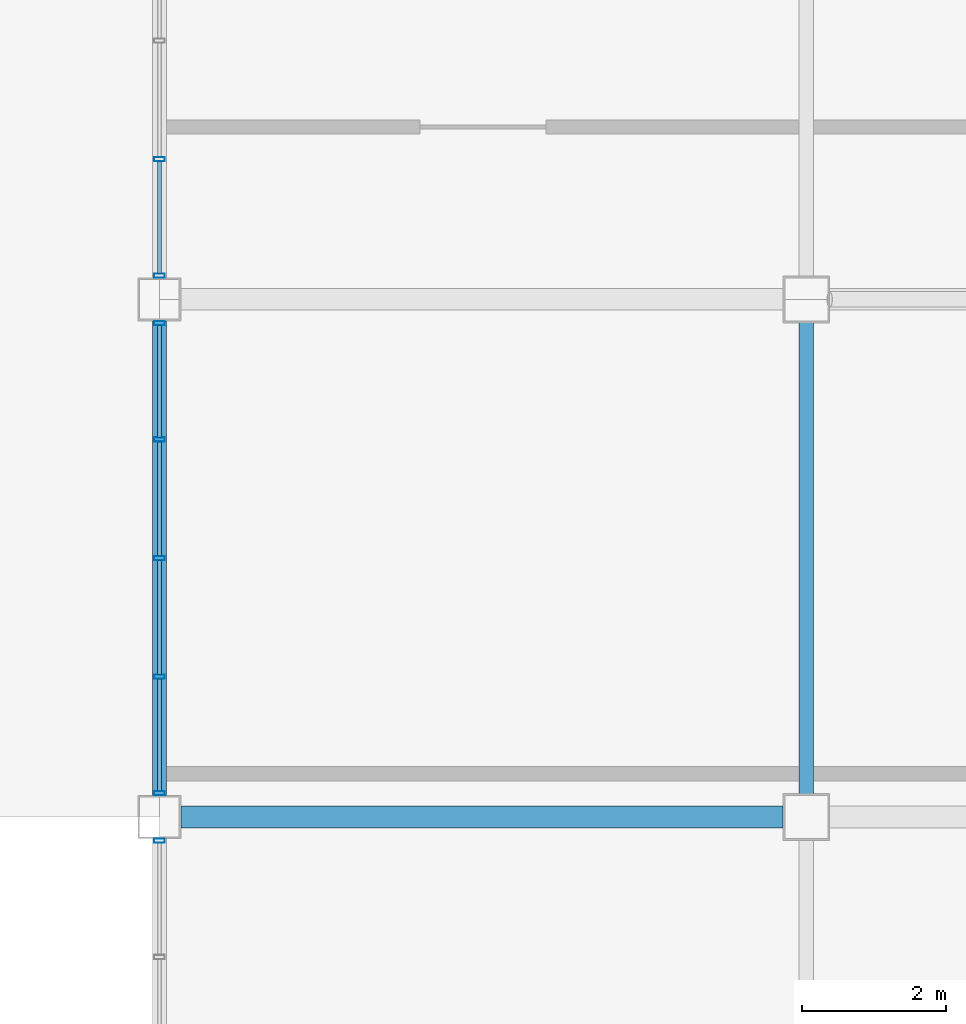
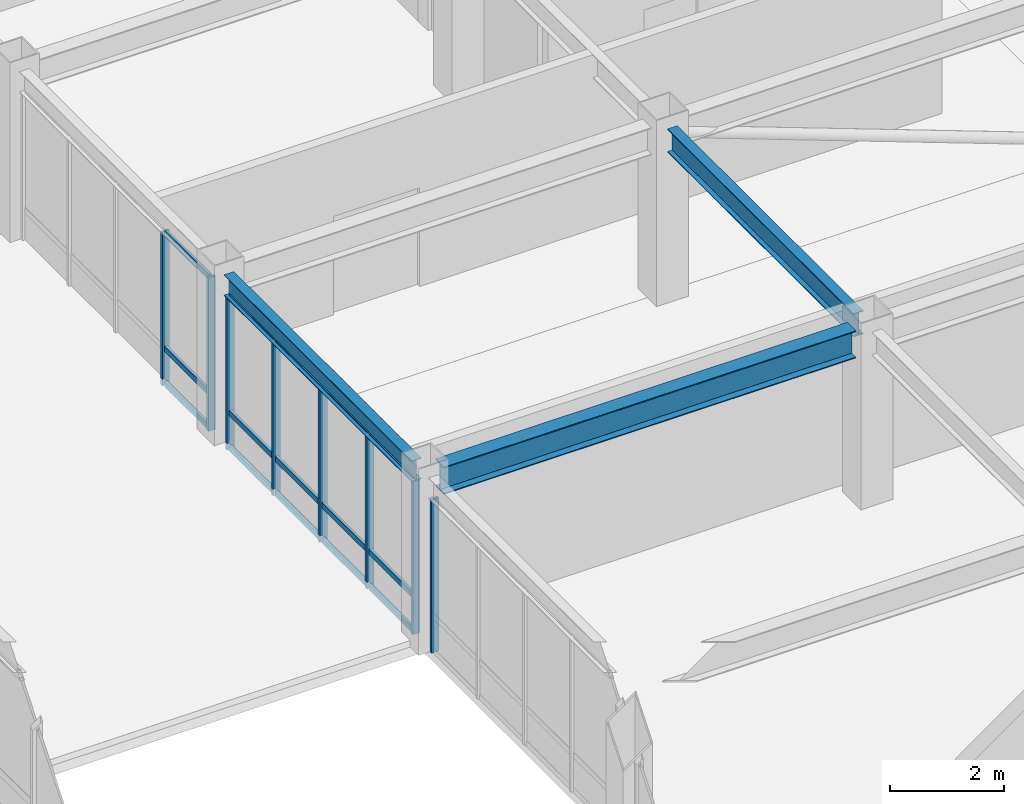
# One storey, part 75 of 113: 23 members, 3 beams, 3 elements without a shape of their own.
"""IFC4 building model written with IfcOpenShell, lengths in metres."""

import ifcopenshell
import ifcopenshell.guid

model = None  # the IFC model being written
_history = None  # IfcOwnerHistory: only IFC2X3 demands one
_inside = {}  # id of a spatial element -> (the spatial element, [elements in it])
_under = {}  # id of a project, library or spatial element -> (it, [spatial elements below it])
_declared = {}  # id of a project -> (the project, [libraries it declares])
_typed = {}  # id of a type object -> (the type object, [elements of that type])
_made_of = {}  # id of a material, layer set ... -> (it, [elements and type objects made of it])


def new_model(schema):
    """Start an empty IFC model of exactly this schema.

    Asked for "IFC4X3", IfcOpenShell would pick the latest addendum, in which some entities
    have other attributes; the version numbers below select the first issue.
    IFC2X3 requires an IfcOwnerHistory on every rooted entity: one is made here for all.
    """
    global model, _history
    if schema == "IFC4X3":
        model = ifcopenshell.file(schema_version=(4, 3, 0, 0))
    else:
        model = ifcopenshell.file(schema=schema)
    _inside.clear()
    _under.clear()
    _declared.clear()
    _typed.clear()
    _made_of.clear()
    _history = None
    if model.schema == "IFC2X3":
        org = make("IfcOrganization", Name="unknown")
        user = make(
            "IfcPersonAndOrganization",
            ThePerson=make("IfcPerson", FamilyName="unknown"),
            TheOrganization=org,
        )
        app = make(
            "IfcApplication",
            ApplicationDeveloper=org,
            Version="unknown",
            ApplicationFullName="unknown",
            ApplicationIdentifier="unknown",
        )
        _history = make(
            "IfcOwnerHistory",
            OwningUser=user,
            OwningApplication=app,
            ChangeAction="ADDED",
            CreationDate=0,
        )
    return model


def make(cls, **values):
    """One entity of the class cls with the attributes given. An attribute that is None is left unset."""
    return model.create_entity(
        cls, **{name: value for name, value in values.items() if value is not None}
    )


def rooted(cls, **values):
    """An entity with a GlobalId (a new one), such as an element, a storey or a relation."""
    return make(cls, GlobalId=ifcopenshell.guid.new(), OwnerHistory=_history, **values)


def si_unit(unit_type, name, prefix=None):
    """IfcSIUnit, for example si_unit("LENGTHUNIT", "METRE", prefix="MILLI")."""
    return make("IfcSIUnit", UnitType=unit_type, Prefix=prefix, Name=name)


def assignment(units):
    """IfcUnitAssignment: the units of a project."""
    return None if units is None else make("IfcUnitAssignment", Units=units)


def point(xyz):
    """IfcCartesianPoint."""
    return None if xyz is None else make("IfcCartesianPoint", Coordinates=xyz)


def direction(xyz):
    """IfcDirection."""
    return None if xyz is None else make("IfcDirection", DirectionRatios=xyz)


def frame(location, z_axis=None, x_axis=None):
    """IfcAxis2Placement3D, a coordinate frame: its origin and axes. An axis left out is left unset."""
    return make(
        "IfcAxis2Placement3D",
        Location=point(location),
        Axis=direction(z_axis),
        RefDirection=direction(x_axis),
    )


def frame_2d(location, x_axis=None):
    """IfcAxis2Placement2D, a coordinate frame in the plane: its origin and x axis."""
    return make(
        "IfcAxis2Placement2D", Location=point(location), RefDirection=direction(x_axis)
    )


def origin():
    """The frame at (0, 0, 0) with its axes left unset."""
    return frame((0.0, 0.0, 0.0))


def origin_2d():
    """The frame at (0, 0) in the plane with its x axis left unset."""
    return frame_2d((0.0, 0.0))


def place(relative_to, where):
    """IfcLocalPlacement: puts the frame where relative to a parent placement (None: the world)."""
    return make(
        "IfcLocalPlacement", PlacementRelTo=relative_to, RelativePlacement=where
    )


def context(
    kind, dimensions, precision=None, world=None, true_north=None, identifier=None
):
    """IfcGeometricRepresentationContext, for example the 3D "Model" context."""
    return make(
        "IfcGeometricRepresentationContext",
        ContextIdentifier=identifier,
        ContextType=kind,
        CoordinateSpaceDimension=dimensions,
        Precision=precision,
        WorldCoordinateSystem=world,
        TrueNorth=true_north,
    )


def subcontext(parent, identifier, kind, view, scale=None):
    """IfcGeometricRepresentationSubContext, for example "Body" below "Model"."""
    return make(
        "IfcGeometricRepresentationSubContext",
        ContextIdentifier=identifier,
        ContextType=kind,
        ParentContext=parent,
        TargetScale=scale,
        TargetView=view,
    )


def project(units=None, contexts=None):
    """IfcProject with its units and contexts."""
    return rooted(
        "IfcProject",
        Name="project",
        RepresentationContexts=contexts,
        UnitsInContext=assignment(units),
    )


def spatial(cls, under=None, at=None, **own):
    """A site, building, storey or space (cls), placed at a placement, below another one or the project."""
    s = rooted(cls, ObjectPlacement=at, **own)
    if under is not None:
        _under.setdefault(under.id(), (under, []))[1].append(s)
    return s


def profile(cls, at=None, kind="AREA", **sizes):
    """A parametric profile (cls). Its sizes go by their IFC names, for example OverallWidth=200.0."""
    return make(cls, ProfileType=kind, Position=at, **sizes)


def hollow_rectangle(**sizes):
    """IfcRectangleHollowProfileDef."""
    return profile("IfcRectangleHollowProfileDef", **sizes)


def i_section(**sizes):
    """IfcIShapeProfileDef."""
    return profile("IfcIShapeProfileDef", **sizes)


def extrude(swept, where, along, depth):
    """IfcExtrudedAreaSolid: the profile swept, set in the frame where, extruded along a direction by depth."""
    return make(
        "IfcExtrudedAreaSolid",
        SweptArea=swept,
        Position=where,
        ExtrudedDirection=direction(along),
        Depth=depth,
    )


def shape(context_of_items, identifier, shape_type, items):
    """IfcShapeRepresentation: the items that make up one representation, for example the "Body"."""
    return make(
        "IfcShapeRepresentation",
        ContextOfItems=context_of_items,
        RepresentationIdentifier=identifier,
        RepresentationType=shape_type,
        Items=items,
    )


def material(Name=None, Category=None):
    """IfcMaterial."""
    return make("IfcMaterial", Name=Name, Category=Category)


def material_profile(
    of_material, cross_section, Name=None, Category=None, Priority=None
):
    """IfcMaterialProfile: a cross section and its material."""
    return make(
        "IfcMaterialProfile",
        Name=Name,
        Material=of_material,
        Profile=cross_section,
        Priority=Priority,
        Category=Category,
    )


def profile_set(profiles, Name=None, composite=None):
    """IfcMaterialProfileSet."""
    return make(
        "IfcMaterialProfileSet",
        Name=Name,
        MaterialProfiles=profiles,
        CompositeProfile=composite,
    )


def made_of(thing, what):
    """Note that an element or type object is made of a material, layer set ...; save() writes the relation."""
    if what is not None:
        _made_of.setdefault(what.id(), (what, []))[1].append(thing)
    return thing


def type_object(cls, material=None, **own):
    """A type object (cls), such as IfcWallType, which elements share."""
    return made_of(rooted(cls, **own), material)


def element(
    cls,
    number,
    at=None,
    inside=None,
    cuts=None,
    type_object=None,
    material=None,
    context=None,
    identifier="Body",
    shape_type=None,
    held_by="IfcProductDefinitionShape",
    body=None,
    shapes=None,
    **own,
):
    """One element of the class cls, such as IfcWall. Its Tag is "e" and its number.

    at: its placement. inside: the storey or other place that contains it. cuts: it is an
    opening in that element (IfcRelVoidsElement). A single representation is given by context,
    identifier, shape_type and body (its items); several are given by shapes. held_by: the class
    of the entity that holds the representations. save() writes the other relations.
    """
    e = rooted(cls, Tag="e%d" % number, ObjectPlacement=at, **own)
    if body is not None:
        shapes = [shape(context, identifier, shape_type, body)]
    if shapes is not None:
        e.Representation = make(held_by, Representations=shapes)
    if inside is not None:
        _inside.setdefault(inside.id(), (inside, []))[1].append(e)
    if cuts is not None:
        rooted(
            "IfcRelVoidsElement", RelatingBuildingElement=cuts, RelatedOpeningElement=e
        )
    if type_object is not None:
        _typed.setdefault(type_object.id(), (type_object, []))[1].append(e)
    return made_of(e, material)


def aggregate(whole, parts):
    """IfcRelAggregates: a whole, such as a stair, and the parts it consists of."""
    return rooted("IfcRelAggregates", RelatingObject=whole, RelatedObjects=parts)


def save(model, path):
    """Write the relations noted so far, then the file.

    IfcRelAggregates (storeys below a building ...), IfcRelContainedInSpatialStructure (elements
    in a storey), IfcRelDefinesByType, IfcRelAssociatesMaterial and IfcRelDeclares: one each for
    every whole, place, type object, material and project.
    """
    for whole, parts in _under.values():
        aggregate(whole, parts)
    for where, things in _inside.values():
        rooted(
            "IfcRelContainedInSpatialStructure",
            RelatedElements=things,
            RelatingStructure=where,
        )
    for kind, things in _typed.values():
        rooted("IfcRelDefinesByType", RelatedObjects=things, RelatingType=kind)
    for what, things in _made_of.values():
        rooted("IfcRelAssociatesMaterial", RelatedObjects=things, RelatingMaterial=what)
    for by, libraries in _declared.values():
        rooted("IfcRelDeclares", RelatingContext=by, RelatedDefinitions=libraries)
    model.write(path)


model = new_model("IFC4")

# Units and contexts
model_context = context("Model", 3, precision=1e-05, world=origin(), true_north=direction((0.0, 1.0)))
body_context = subcontext(model_context, "Body", "Model", "MODEL_VIEW")
ifc_project = project(units=[si_unit("LENGTHUNIT", "METRE"), si_unit("AREAUNIT", "SQUARE_METRE"), si_unit("VOLUMEUNIT", "CUBIC_METRE"), si_unit("PLANEANGLEUNIT", "RADIAN"), si_unit("MASSUNIT", "GRAM", prefix="KILO")], contexts=[model_context])

# Site, building, storey
site_placement = place(None, origin())
site = spatial("IfcSite", under=ifc_project, at=site_placement, CompositionType="ELEMENT")
building_placement = place(site_placement, origin())
building = spatial("IfcBuilding", under=site, at=building_placement, Name="Kazanami Central Library", CompositionType="ELEMENT")
storey_placement = place(building_placement, frame((0.0, 0.0, 8.800048828125)))
storey = spatial("IfcBuildingStorey", under=building, at=storey_placement, Name="L03", CompositionType="ELEMENT", Elevation=8.800048828125)

# Beams
ifc_material_1 = material(Name="Steel SN490B (325 MPa)", Category="steel")
ifc_material_profile_1 = material_profile(ifc_material_1, i_section(OverallWidth=0.300048828125, OverallDepth=0.587890625, WebThickness=0.011962890625, FlangeThickness=0.02001953125, at=origin_2d()), Name="H-588x300x12x20")
ifc_profile_set_1 = profile_set([ifc_material_profile_1], Name="Steel SN490B (325 MPa)")
beam_type_1 = type_object("IfcBeamType", Name="BM-G-X2", PredefinedType="BEAM", material=ifc_profile_set_1)
beam_1_placement = place(storey_placement, frame((117.298095703125, 64.800048828125, 3.450927734375), z_axis=(1.0, 0.0, 0.0), x_axis=(0.0, 1.0, 0.0)))
element("IfcBeam", 1, at=beam_1_placement, inside=storey, type_object=beam_type_1, Name="Girder G-X2 L03 K/14-15", PredefinedType="BEAM", context=body_context, shape_type="SweptSolid", body=[
    extrude(i_section(OverallWidth=0.300048828125, OverallDepth=0.587890625, WebThickness=0.011962890625, FlangeThickness=0.02001953125, at=origin_2d()), origin(), (0.0, 0.0, 1.0), 8.37890625),
])
ifc_material_profile_2 = material_profile(ifc_material_1, i_section(OverallWidth=0.199951171875, OverallDepth=0.5, WebThickness=0.010009765625, FlangeThickness=0.01611328125, at=origin_2d()), Name="H-500x200x10x16")
ifc_profile_set_2 = profile_set([ifc_material_profile_2], Name="Steel SN490B (325 MPa)")
beam_type_2 = type_object("IfcBeamType", Name="BM-G-Y2", PredefinedType="BEAM", material=ifc_profile_set_2)
beam_2_placement = place(storey_placement, frame((126.0, 65.123046875, 3.494873046875), z_axis=(0.0, 1.0, 0.0), x_axis=(-1.0, 0.0, 0.0)))
element("IfcBeam", 2, at=beam_2_placement, inside=storey, type_object=beam_type_2, Name="Girder G-Y2 L03 15/K-L", PredefinedType="BEAM", context=body_context, shape_type="SweptSolid", body=[
    extrude(i_section(OverallWidth=0.199951171875, OverallDepth=0.5, WebThickness=0.010009765625, FlangeThickness=0.01611328125, at=origin_2d()), origin(), (0.0, 0.0, 1.0), 6.553955078125),
])
ifc_material_profile_3 = material_profile(ifc_material_1, i_section(OverallWidth=0.199951171875, OverallDepth=0.449951171875, WebThickness=0.009033203125, FlangeThickness=0.013916015625, at=origin_2d()), Name="H-450x200x9x14")
ifc_profile_set_3 = profile_set([ifc_material_profile_3], Name="Steel SN490B (325 MPa)")
beam_type_3 = type_object("IfcBeamType", Name="BM-SP-2", PredefinedType="SPANDREL", material=ifc_profile_set_3)
beam_3_placement = place(storey_placement, frame((117.0, 65.097900390625, 3.52001953125), z_axis=(0.0, 1.0, 0.0), x_axis=(-1.0, 0.0, 0.0)))
element("IfcBeam", 3, at=beam_3_placement, inside=storey, type_object=beam_type_3, Name="Girder SP-2 L03 14/K-L", PredefinedType="SPANDREL", context=body_context, shape_type="SweptSolid", body=[
    extrude(i_section(OverallWidth=0.199951171875, OverallDepth=0.449951171875, WebThickness=0.009033203125, FlangeThickness=0.013916015625, at=origin_2d()), origin(), (0.0, 0.0, 1.0), 6.60400390625),
])

# Curtain wall, member
ifc_material_2 = material(Name="Acid-Etched Low-E Laminated Glass", Category="glass")
curtain_wall_type = type_object("IfcCurtainWallType", Name="CW-6600x3295-M180", PredefinedType="USERDEFINED", material=ifc_material_2)
curtain_wall_1_placement = place(storey_placement, origin())
curtain_wall_1 = element("IfcCurtainWall", 4, at=curtain_wall_1_placement, inside=storey, type_object=curtain_wall_type, Name="Covered Link Bridge Curtain Wall CW-36 L03 W-14-08", ObjectType="UNITISED CURTAIN WALL", PredefinedType="USERDEFINED")
ifc_material_3 = material(Name="Anodised Aluminium A6063-T5", Category="aluminium")
ifc_material_profile_4 = material_profile(ifc_material_3, hollow_rectangle(XDim=0.06005859375, YDim=0.14990234375, WallThickness=0.00390625, at=origin_2d()), Name="ALU-MULL-60x150x4")
ifc_profile_set_4 = profile_set([ifc_material_profile_4], Name="Anodised Aluminium A6063-T5")
member_type_1 = type_object("IfcMemberType", Name="MEM-CW-M3", PredefinedType="MULLION", material=ifc_profile_set_4)
member_1_placement = place(storey_placement, frame((117.0, 64.469970703125, 0.0), z_axis=(0.0, 0.0, 1.0), x_axis=(0.0, 1.0, 0.0)))
member_1 = element("IfcMember", 5, at=member_1_placement, type_object=member_type_1, Name="CW-36 mullion 5", PredefinedType="MULLION", context=body_context, shape_type="SweptSolid", body=[
    extrude(hollow_rectangle(XDim=0.06005859375, YDim=0.14990234375, WallThickness=0.00390625, at=origin_2d()), origin(), (0.0, 0.0, 1.0), 3.294921875),
])
aggregate(curtain_wall_1, [member_1])

# Curtain wall, members
curtain_wall_2_placement = place(storey_placement, origin())
curtain_wall_2 = element("IfcCurtainWall", 6, at=curtain_wall_2_placement, inside=storey, type_object=curtain_wall_type, Name="Covered Link Bridge Curtain Wall CW-36 L03 W-14-09", ObjectType="UNITISED CURTAIN WALL", PredefinedType="USERDEFINED")
member_2_placement = place(storey_placement, frame((117.0, 65.1298828125, 0.0), z_axis=(0.0, 0.0, 1.0), x_axis=(0.0, 1.0, 0.0)))
member_2 = element("IfcMember", 7, at=member_2_placement, type_object=member_type_1, Name="CW-36 mullion 1", PredefinedType="MULLION", context=body_context, shape_type="SweptSolid", body=[
    extrude(hollow_rectangle(XDim=0.06005859375, YDim=0.14990234375, WallThickness=0.00390625, at=origin_2d()), origin(), (0.0, 0.0, 1.0), 3.294921875),
])
member_3_placement = place(storey_placement, frame((117.0, 66.75, 0.0), z_axis=(0.0, 0.0, 1.0), x_axis=(0.0, 1.0, 0.0)))
member_3 = element("IfcMember", 8, at=member_3_placement, type_object=member_type_1, Name="CW-36 mullion 2", PredefinedType="MULLION", context=body_context, shape_type="SweptSolid", body=[
    extrude(hollow_rectangle(XDim=0.06005859375, YDim=0.14990234375, WallThickness=0.00390625, at=origin_2d()), origin(), (0.0, 0.0, 1.0), 3.294921875),
])
member_4_placement = place(storey_placement, frame((117.0, 68.39990234375, 0.0), z_axis=(0.0, 0.0, 1.0), x_axis=(0.0, 1.0, 0.0)))
member_4 = element("IfcMember", 9, at=member_4_placement, type_object=member_type_1, Name="CW-36 mullion 3", PredefinedType="MULLION", context=body_context, shape_type="SweptSolid", body=[
    extrude(hollow_rectangle(XDim=0.06005859375, YDim=0.14990234375, WallThickness=0.00390625, at=origin_2d()), origin(), (0.0, 0.0, 1.0), 3.294921875),
])
member_5_placement = place(storey_placement, frame((117.0, 70.050048828125, 0.0), z_axis=(0.0, 0.0, 1.0), x_axis=(0.0, 1.0, 0.0)))
member_5 = element("IfcMember", 10, at=member_5_placement, type_object=member_type_1, Name="CW-36 mullion 4", PredefinedType="MULLION", context=body_context, shape_type="SweptSolid", body=[
    extrude(hollow_rectangle(XDim=0.06005859375, YDim=0.14990234375, WallThickness=0.00390625, at=origin_2d()), origin(), (0.0, 0.0, 1.0), 3.294921875),
])
member_6_placement = place(storey_placement, frame((117.0, 71.669921875, 0.0), z_axis=(0.0, 0.0, 1.0), x_axis=(0.0, 1.0, 0.0)))
member_6 = element("IfcMember", 11, at=member_6_placement, type_object=member_type_1, Name="CW-36 mullion 5", PredefinedType="MULLION", context=body_context, shape_type="SweptSolid", body=[
    extrude(hollow_rectangle(XDim=0.06005859375, YDim=0.14990234375, WallThickness=0.00390625, at=origin_2d()), origin(), (0.0, 0.0, 1.0), 3.294921875),
])

curtain_wall_3_placement = place(storey_placement, origin())
curtain_wall_3 = element("IfcCurtainWall", 12, at=curtain_wall_3_placement, inside=storey, type_object=curtain_wall_type, Name="Covered Link Bridge Curtain Wall CW-36 L03 W-14-10", ObjectType="UNITISED CURTAIN WALL", PredefinedType="USERDEFINED")
member_7_placement = place(storey_placement, frame((117.0, 72.330078125, 0.0), z_axis=(0.0, 0.0, 1.0), x_axis=(0.0, 1.0, 0.0)))
member_7 = element("IfcMember", 13, at=member_7_placement, type_object=member_type_1, Name="CW-36 mullion 1", PredefinedType="MULLION", context=body_context, shape_type="SweptSolid", body=[
    extrude(hollow_rectangle(XDim=0.06005859375, YDim=0.14990234375, WallThickness=0.00390625, at=origin_2d()), origin(), (0.0, 0.0, 1.0), 3.294921875),
])
member_8_placement = place(storey_placement, frame((117.0, 73.949951171875, 0.0), z_axis=(0.0, 0.0, 1.0), x_axis=(0.0, 1.0, 0.0)))
member_8 = element("IfcMember", 14, at=member_8_placement, type_object=member_type_1, Name="CW-36 mullion 2", PredefinedType="MULLION", context=body_context, shape_type="SweptSolid", body=[
    extrude(hollow_rectangle(XDim=0.06005859375, YDim=0.14990234375, WallThickness=0.00390625, at=origin_2d()), origin(), (0.0, 0.0, 1.0), 3.294921875),
])

# Member
ifc_material_profile_5 = material_profile(ifc_material_3, hollow_rectangle(XDim=0.06005859375, YDim=0.1201171875, WallThickness=0.00341796875, at=origin_2d()), Name="ALU-TRAN-60x120x3.5")
ifc_profile_set_5 = profile_set([ifc_material_profile_5], Name="Anodised Aluminium A6063-T5")
member_type_2 = type_object("IfcMemberType", Name="MEM-CW-T3", PredefinedType="USERDEFINED", material=ifc_profile_set_5)
member_9_placement = place(storey_placement, frame((117.0, 65.159912109375, 0.030029296875), z_axis=(0.0, 1.0, 0.0), x_axis=(-1.0, 0.0, 0.0)))
member_9 = element("IfcMember", 15, at=member_9_placement, type_object=member_type_2, Name="CW-36 transom 1.1", ObjectType="TRANSOM", PredefinedType="USERDEFINED", context=body_context, shape_type="SweptSolid", body=[
    extrude(hollow_rectangle(XDim=0.06005859375, YDim=0.1201171875, WallThickness=0.00341796875, at=origin_2d()), origin(), (0.0, 0.0, 1.0), 1.56005859375),
])

member_10_placement = place(storey_placement, frame((117.0, 65.159912109375, 0.780029296875), z_axis=(0.0, 1.0, 0.0), x_axis=(-1.0, 0.0, 0.0)))
member_10 = element("IfcMember", 16, at=member_10_placement, type_object=member_type_2, Name="CW-36 transom 1.2", ObjectType="TRANSOM", PredefinedType="USERDEFINED", context=body_context, shape_type="SweptSolid", body=[
    extrude(hollow_rectangle(XDim=0.06005859375, YDim=0.1201171875, WallThickness=0.00341796875, at=origin_2d()), origin(), (0.0, 0.0, 1.0), 1.56005859375),
])

member_11_placement = place(storey_placement, frame((117.0, 65.159912109375, 3.264892578125), z_axis=(0.0, 1.0, 0.0), x_axis=(-1.0, 0.0, 0.0)))
member_11 = element("IfcMember", 17, at=member_11_placement, type_object=member_type_2, Name="CW-36 transom 1.3", ObjectType="TRANSOM", PredefinedType="USERDEFINED", context=body_context, shape_type="SweptSolid", body=[
    extrude(hollow_rectangle(XDim=0.06005859375, YDim=0.1201171875, WallThickness=0.00341796875, at=origin_2d()), origin(), (0.0, 0.0, 1.0), 1.56005859375),
])

member_12_placement = place(storey_placement, frame((117.0, 66.780029296875, 0.030029296875), z_axis=(0.0, 1.0, 0.0), x_axis=(-1.0, 0.0, 0.0)))
member_12 = element("IfcMember", 18, at=member_12_placement, type_object=member_type_2, Name="CW-36 transom 2.1", ObjectType="TRANSOM", PredefinedType="USERDEFINED", context=body_context, shape_type="SweptSolid", body=[
    extrude(hollow_rectangle(XDim=0.06005859375, YDim=0.1201171875, WallThickness=0.00341796875, at=origin_2d()), origin(), (0.0, 0.0, 1.0), 1.590087890625),
])

member_13_placement = place(storey_placement, frame((117.0, 66.780029296875, 0.780029296875), z_axis=(0.0, 1.0, 0.0), x_axis=(-1.0, 0.0, 0.0)))
member_13 = element("IfcMember", 19, at=member_13_placement, type_object=member_type_2, Name="CW-36 transom 2.2", ObjectType="TRANSOM", PredefinedType="USERDEFINED", context=body_context, shape_type="SweptSolid", body=[
    extrude(hollow_rectangle(XDim=0.06005859375, YDim=0.1201171875, WallThickness=0.00341796875, at=origin_2d()), origin(), (0.0, 0.0, 1.0), 1.590087890625),
])

member_14_placement = place(storey_placement, frame((117.0, 66.780029296875, 3.264892578125), z_axis=(0.0, 1.0, 0.0), x_axis=(-1.0, 0.0, 0.0)))
member_14 = element("IfcMember", 20, at=member_14_placement, type_object=member_type_2, Name="CW-36 transom 2.3", ObjectType="TRANSOM", PredefinedType="USERDEFINED", context=body_context, shape_type="SweptSolid", body=[
    extrude(hollow_rectangle(XDim=0.06005859375, YDim=0.1201171875, WallThickness=0.00341796875, at=origin_2d()), origin(), (0.0, 0.0, 1.0), 1.590087890625),
])

member_15_placement = place(storey_placement, frame((117.0, 68.429931640625, 0.030029296875), z_axis=(0.0, 1.0, 0.0), x_axis=(-1.0, 0.0, 0.0)))
member_15 = element("IfcMember", 21, at=member_15_placement, type_object=member_type_2, Name="CW-36 transom 3.1", ObjectType="TRANSOM", PredefinedType="USERDEFINED", context=body_context, shape_type="SweptSolid", body=[
    extrude(hollow_rectangle(XDim=0.06005859375, YDim=0.1201171875, WallThickness=0.00341796875, at=origin_2d()), origin(), (0.0, 0.0, 1.0), 1.590087890625),
])

member_16_placement = place(storey_placement, frame((117.0, 68.429931640625, 0.780029296875), z_axis=(0.0, 1.0, 0.0), x_axis=(-1.0, 0.0, 0.0)))
member_16 = element("IfcMember", 22, at=member_16_placement, type_object=member_type_2, Name="CW-36 transom 3.2", ObjectType="TRANSOM", PredefinedType="USERDEFINED", context=body_context, shape_type="SweptSolid", body=[
    extrude(hollow_rectangle(XDim=0.06005859375, YDim=0.1201171875, WallThickness=0.00341796875, at=origin_2d()), origin(), (0.0, 0.0, 1.0), 1.590087890625),
])

member_17_placement = place(storey_placement, frame((117.0, 68.429931640625, 3.264892578125), z_axis=(0.0, 1.0, 0.0), x_axis=(-1.0, 0.0, 0.0)))
member_17 = element("IfcMember", 23, at=member_17_placement, type_object=member_type_2, Name="CW-36 transom 3.3", ObjectType="TRANSOM", PredefinedType="USERDEFINED", context=body_context, shape_type="SweptSolid", body=[
    extrude(hollow_rectangle(XDim=0.06005859375, YDim=0.1201171875, WallThickness=0.00341796875, at=origin_2d()), origin(), (0.0, 0.0, 1.0), 1.590087890625),
])

member_18_placement = place(storey_placement, frame((117.0, 70.080078125, 0.030029296875), z_axis=(0.0, 1.0, 0.0), x_axis=(-1.0, 0.0, 0.0)))
member_18 = element("IfcMember", 24, at=member_18_placement, type_object=member_type_2, Name="CW-36 transom 4.1", ObjectType="TRANSOM", PredefinedType="USERDEFINED", context=body_context, shape_type="SweptSolid", body=[
    extrude(hollow_rectangle(XDim=0.06005859375, YDim=0.1201171875, WallThickness=0.00341796875, at=origin_2d()), origin(), (0.0, 0.0, 1.0), 1.559814453125),
])

member_19_placement = place(storey_placement, frame((117.0, 70.080078125, 0.780029296875), z_axis=(0.0, 1.0, 0.0), x_axis=(-1.0, 0.0, 0.0)))
member_19 = element("IfcMember", 25, at=member_19_placement, type_object=member_type_2, Name="CW-36 transom 4.2", ObjectType="TRANSOM", PredefinedType="USERDEFINED", context=body_context, shape_type="SweptSolid", body=[
    extrude(hollow_rectangle(XDim=0.06005859375, YDim=0.1201171875, WallThickness=0.00341796875, at=origin_2d()), origin(), (0.0, 0.0, 1.0), 1.559814453125),
])

member_20_placement = place(storey_placement, frame((117.0, 70.080078125, 3.264892578125), z_axis=(0.0, 1.0, 0.0), x_axis=(-1.0, 0.0, 0.0)))
member_20 = element("IfcMember", 26, at=member_20_placement, type_object=member_type_2, Name="CW-36 transom 4.3", ObjectType="TRANSOM", PredefinedType="USERDEFINED", context=body_context, shape_type="SweptSolid", body=[
    extrude(hollow_rectangle(XDim=0.06005859375, YDim=0.1201171875, WallThickness=0.00341796875, at=origin_2d()), origin(), (0.0, 0.0, 1.0), 1.559814453125),
])

aggregate(curtain_wall_2, [member_2, member_3, member_4, member_5, member_6, member_9, member_10, member_11, member_12, member_13, member_14, member_15, member_16, member_17, member_18, member_19, member_20])

member_21_placement = place(storey_placement, frame((117.0, 72.360107421875, 0.030029296875), z_axis=(0.0, 1.0, 0.0), x_axis=(-1.0, 0.0, 0.0)))
member_21 = element("IfcMember", 27, at=member_21_placement, type_object=member_type_2, Name="CW-36 transom 1.1", ObjectType="TRANSOM", PredefinedType="USERDEFINED", context=body_context, shape_type="SweptSolid", body=[
    extrude(hollow_rectangle(XDim=0.06005859375, YDim=0.1201171875, WallThickness=0.00341796875, at=origin_2d()), origin(), (0.0, 0.0, 1.0), 1.559814453125),
])

member_22_placement = place(storey_placement, frame((117.0, 72.360107421875, 0.780029296875), z_axis=(0.0, 1.0, 0.0), x_axis=(-1.0, 0.0, 0.0)))
member_22 = element("IfcMember", 28, at=member_22_placement, type_object=member_type_2, Name="CW-36 transom 1.2", ObjectType="TRANSOM", PredefinedType="USERDEFINED", context=body_context, shape_type="SweptSolid", body=[
    extrude(hollow_rectangle(XDim=0.06005859375, YDim=0.1201171875, WallThickness=0.00341796875, at=origin_2d()), origin(), (0.0, 0.0, 1.0), 1.559814453125),
])

member_23_placement = place(storey_placement, frame((117.0, 72.360107421875, 3.264892578125), z_axis=(0.0, 1.0, 0.0), x_axis=(-1.0, 0.0, 0.0)))
member_23 = element("IfcMember", 29, at=member_23_placement, type_object=member_type_2, Name="CW-36 transom 1.3", ObjectType="TRANSOM", PredefinedType="USERDEFINED", context=body_context, shape_type="SweptSolid", body=[
    extrude(hollow_rectangle(XDim=0.06005859375, YDim=0.1201171875, WallThickness=0.00341796875, at=origin_2d()), origin(), (0.0, 0.0, 1.0), 1.559814453125),
])

aggregate(curtain_wall_3, [member_7, member_8, member_21, member_22, member_23])

save(model, "model.ifc")
